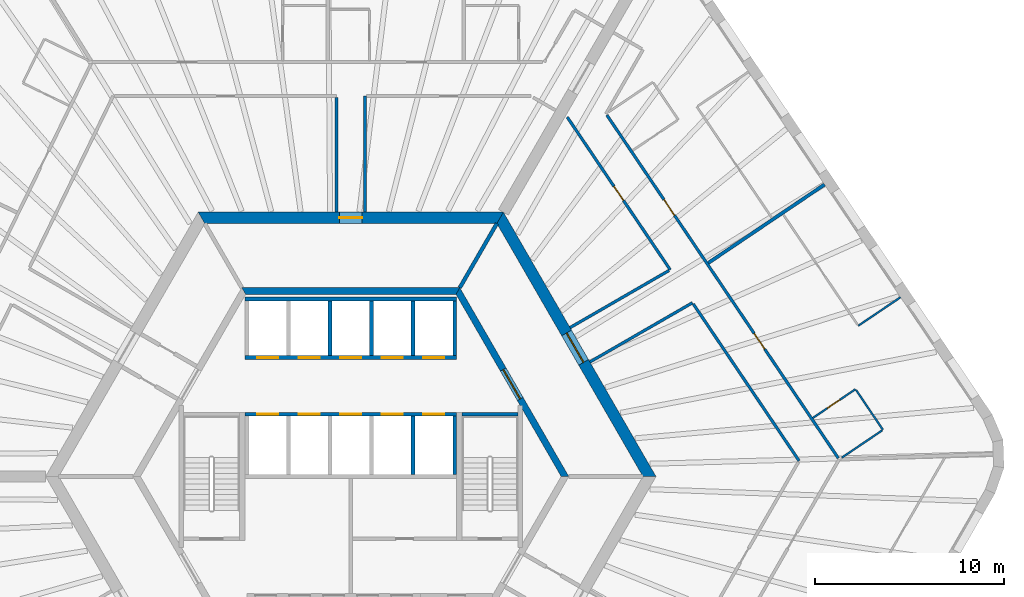
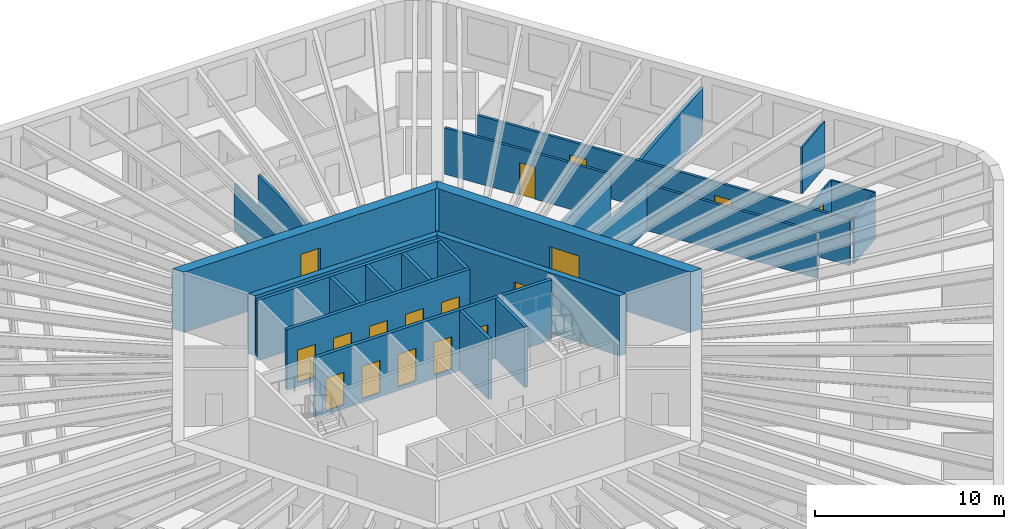
# One storey, part 9 of 12: 27 walls, 17 doors, 17 openings.
"""IFC4 building model written with IfcOpenShell, lengths in metres."""

from ifc_helpers import new_model, si_unit, direction, frame, frame_2d, origin, place, context, subcontext, project, spatial, polyline, rectangle, outline, extrude, material, layer, layer_set, type_object, element, fill, save


model = new_model("IFC4")

# Units and contexts
model_context = context("Model", 3, precision=1e-05, world=origin(), true_north=direction((0.0, 1.0)))
body_context = subcontext(model_context, "Body", "Model", "MODEL_VIEW")
ifc_project = project(units=[si_unit("LENGTHUNIT", "METRE"), si_unit("AREAUNIT", "SQUARE_METRE"), si_unit("VOLUMEUNIT", "CUBIC_METRE"), si_unit("PLANEANGLEUNIT", "RADIAN"), si_unit("MASSUNIT", "GRAM", prefix="KILO")], contexts=[model_context])

# Site, building, storey
site_placement = place(None, origin())
site = spatial("IfcSite", under=ifc_project, at=site_placement, CompositionType="ELEMENT")
building_placement = place(site_placement, origin())
building = spatial("IfcBuilding", under=site, at=building_placement, Name="Tarnside Tower", CompositionType="ELEMENT")
storey_placement = place(building_placement, frame((0.0, 0.0, 119.39990234375)))
storey = spatial("IfcBuildingStorey", under=building, at=storey_placement, Name="L27", CompositionType="ELEMENT", Elevation=119.39990234375)

# Wall, opening, door
ifc_material_1 = material(Name="Gypsum board partition on steel studs", Category="steel")
ifc_layer_1 = layer(ifc_material_1, 0.10009765625)
ifc_layer_set_1 = layer_set([ifc_layer_1], Name="Bathroom wall 100")
wall_type_1 = type_object("IfcWallType", Name="Bathroom wall 100", PredefinedType="PARTITIONING", material=ifc_layer_set_1)
wall_1_placement = place(storey_placement, frame((24.4755859375, 3.100830078125, 0.0), z_axis=(0.0, 0.0, 1.0), x_axis=(0.829047014003, 0.559178905694, 0.0)))
wall_1 = element("IfcWall", 1, at=wall_1_placement, inside=storey, type_object=wall_type_1, Name="Bathroom wall 08137", PredefinedType="PARTITIONING", context=body_context, shape_type="SweptSolid", body=[
    extrude(rectangle(XDim=2.724853515625, YDim=0.10009765625, at=frame_2d((1.3623046875, 0.0))), origin(), (0.0, 0.0, 1.0), 2.98779296875),
])
opening_1_placement = place(wall_1_placement, frame((0.925048828125, 0.0, 0.0)))
opening_1 = element("IfcOpeningElement", 2, at=opening_1_placement, cuts=wall_1, Name="Opening D-B1", PredefinedType="OPENING", context=body_context, shape_type="SweptSolid", body=[
    extrude(rectangle(XDim=0.800048828125, YDim=2.10009765625, at=frame_2d((0.39990234375, 1.050048828125))), frame((0.0, 0.06005859375, 0.0), z_axis=(0.0, -1.0, 0.0), x_axis=(1.0, 0.0, 0.0)), (0.0, 0.0, 1.0), 0.1201171875),
])
ifc_material_2 = material(Name="Timber door leaf", Category="wood")
door_type_1 = type_object("IfcDoorType", Name="Bathroom door 800", OperationType="NOTDEFINED", PredefinedType="DOOR", material=ifc_material_2)
door_1_placement = place(opening_1_placement, origin())
door_1 = element("IfcDoor", 3, at=door_1_placement, inside=storey, type_object=door_type_1, Name="Bathroom door 08035", OperationType="SINGLE_SWING_RIGHT", OverallHeight=2.10009765625, OverallWidth=0.800048828125, PredefinedType="DOOR", context=body_context, shape_type="SweptSolid", body=[
    extrude(rectangle(XDim=0.800048828125, YDim=2.10009765625, at=frame_2d((0.39990234375, 1.050048828125))), frame((0.0, 0.02490234375, 0.0), z_axis=(0.0, -1.0, 0.0), x_axis=(1.0, 0.0, 0.0)), (0.0, 0.0, 1.0), 0.050048828125),
])
fill(opening_1, door_1)

# Walls
wall_2_placement = place(storey_placement, frame((26.762451171875, 4.5830078125, 0.0), z_axis=(0.0, 0.0, 1.0), x_axis=(0.559221247909, -0.829018453285, 0.0)))
element("IfcWall", 4, at=wall_2_placement, inside=storey, type_object=wall_type_1, Name="Bathroom wall 08138", PredefinedType="PARTITIONING", context=body_context, shape_type="SweptSolid", body=[
    extrude(rectangle(XDim=2.550048828125, YDim=0.10009765625, at=frame_2d((1.27490234375, 0.0))), origin(), (0.0, 0.0, 1.0), 2.98779296875),
])
wall_3_placement = place(storey_placement, frame((28.14697265625, 2.441162109375, 0.0), z_axis=(0.0, 0.0, 1.0), x_axis=(-0.829023136679, -0.559214304941, 0.0)))
element("IfcWall", 5, at=wall_3_placement, inside=storey, type_object=wall_type_1, Name="Bathroom wall 08139", PredefinedType="PARTITIONING", context=body_context, shape_type="SweptSolid", body=[
    extrude(rectangle(XDim=2.578857421875, YDim=0.10009765625, at=frame_2d((1.28955078125, 0.0))), origin(), (0.0, 0.0, 1.0), 2.98779296875),
])

# Wall, opening, door
ifc_material_3 = material(Name="Concrete C50/60", Category="concrete")
ifc_layer_2 = layer(ifc_material_3, 0.35009765625)
ifc_layer_set_2 = layer_set([ifc_layer_2], Name="Core block wall 350 C50/60")
wall_type_2 = type_object("IfcWallType", Name="Core block wall 350 C50/60", PredefinedType="SHEAR", material=ifc_layer_set_2)
wall_4_placement = place(storey_placement, frame((11.344970703125, 0.0, -0.14990234375), z_axis=(0.0, 0.0, 1.0), x_axis=(-0.499995046907, 0.866028263435, 0.0)))
wall_4 = element("IfcWall", 6, at=wall_4_placement, inside=storey, type_object=wall_type_2, Name="L27 core block wall face 6", PredefinedType="SHEAR", context=body_context, shape_type="SweptSolid", body=[
    extrude(outline(polyline([(-0.10107421875, -0.175048828125), (11.44580078125, -0.175048828125), (11.24365234375, 0.175048828125), (0.10107421875, 0.175048828125), (-0.10107421875, -0.175048828125)])), origin(), (0.0, 0.0, 1.0), 3.89990234375),
])
opening_2_placement = place(wall_4_placement, frame((4.74365234375, 0.0, 0.14990234375)))
opening_2 = element("IfcOpeningElement", 7, at=opening_2_placement, cuts=wall_4, Name="Opening CD-LOB", PredefinedType="OPENING", context=body_context, shape_type="SweptSolid", body=[
    extrude(rectangle(XDim=1.800048828125, YDim=2.39990234375, at=frame_2d((0.89990234375, 1.199951171875))), frame((0.0, 0.18505859375, 0.0), z_axis=(0.0, -1.0, 0.0), x_axis=(1.0, 0.0, 0.0)), (0.0, 0.0, 1.0), 0.3701171875),
])
ifc_material_4 = material(Name="Steel fire door", Category="steel")
door_type_2 = type_object("IfcDoorType", Name="Lobby double door FD30S 1800x2400", OperationType="NOTDEFINED", PredefinedType="DOOR", material=ifc_material_4)
door_2_placement = place(opening_2_placement, origin())
door_2 = element("IfcDoor", 8, at=door_2_placement, inside=storey, type_object=door_type_2, Name="L27 lobby block door P2", OperationType="DOUBLE_DOOR_SINGLE_SWING", OverallHeight=2.39990234375, OverallWidth=1.800048828125, PredefinedType="DOOR", context=body_context, shape_type="SweptSolid", body=[
    extrude(rectangle(XDim=1.800048828125, YDim=2.39990234375, at=frame_2d((0.89990234375, 1.199951171875))), frame((0.0, 0.02490234375, 0.0), z_axis=(0.0, -1.0, 0.0), x_axis=(1.0, 0.0, 0.0)), (0.0, 0.0, 1.0), 0.050048828125),
])
fill(opening_2, door_2)

# Wall
wall_5_placement = place(storey_placement, frame((5.672607421875, 9.824951171875, -0.14990234375), z_axis=(0.0, 0.0, 1.0), x_axis=(-1.0, 0.0, 0.0)))
element("IfcWall", 9, at=wall_5_placement, inside=storey, type_object=wall_type_2, Name="L27 core block wall face 1", PredefinedType="SHEAR", context=body_context, shape_type="SweptSolid", body=[
    extrude(outline(polyline([(-0.10107421875, -0.175048828125), (11.4462890625, -0.175048828125), (11.244140625, 0.175048828125), (0.10107421875, 0.175048828125), (-0.10107421875, -0.175048828125)])), origin(), (0.0, 0.0, 1.0), 3.89990234375),
])

# Wall, opening, door
ifc_material_5 = material(Name="Concrete C80/95", Category="concrete")
ifc_layer_3 = layer(ifc_material_5, 0.60009765625)
ifc_layer_set_3 = layer_set([ifc_layer_3], Name="Core wall Z1 600 C80/95")
wall_type_3 = type_object("IfcWallType", Name="Core wall Z1 600 C80/95", PredefinedType="SHEAR", material=ifc_layer_set_3)
wall_6_placement = place(storey_placement, frame((15.8193359375, 0.0, -0.14990234375), z_axis=(0.0, 0.0, 1.0), x_axis=(-0.499999880136, 0.866025472988, 0.0)))
wall_6 = element("IfcWall", 10, at=wall_6_placement, inside=storey, type_object=wall_type_3, Name="L27 core wall face 6", PredefinedType="SHEAR", context=body_context, shape_type="SweptSolid", body=[
    extrude(outline(polyline([(-0.17333984375, -0.300048828125), (15.99267578125, -0.300048828125), (15.64599609375, 0.300048828125), (0.17333984375, 0.300048828125), (-0.17333984375, -0.300048828125)])), origin(), (0.0, 0.0, 1.0), 3.89990234375),
])
opening_3_placement = place(wall_6_placement, frame((6.980712890625, 0.0, 0.14990234375)))
opening_3 = element("IfcOpeningElement", 11, at=opening_3_placement, cuts=wall_6, Name="Opening CD-LOB", PredefinedType="OPENING", context=body_context, shape_type="SweptSolid", body=[
    extrude(rectangle(XDim=1.800048828125, YDim=2.39990234375, at=frame_2d((0.89990234375, 1.199951171875))), frame((0.0, 0.31005859375, 0.0), z_axis=(0.0, -1.0, 0.0), x_axis=(1.0, 0.0, 0.0)), (0.0, 0.0, 1.0), 0.6201171875),
])
door_3_placement = place(opening_3_placement, origin())
door_3 = element("IfcDoor", 12, at=door_3_placement, inside=storey, type_object=door_type_2, Name="L27 core door P2", OperationType="DOUBLE_DOOR_SINGLE_SWING", OverallHeight=2.39990234375, OverallWidth=1.800048828125, PredefinedType="DOOR", context=body_context, shape_type="SweptSolid", body=[
    extrude(rectangle(XDim=1.800048828125, YDim=2.39990234375, at=frame_2d((0.89990234375, 1.199951171875))), frame((0.0, 0.02490234375, 0.0), z_axis=(0.0, -1.0, 0.0), x_axis=(1.0, 0.0, 0.0)), (0.0, 0.0, 1.0), 0.050048828125),
])
fill(opening_3, door_3)

wall_7_placement = place(storey_placement, frame((7.90966796875, 13.699951171875, -0.14990234375), z_axis=(0.0, 0.0, 1.0), x_axis=(-1.0, 0.0, 0.0)))
wall_7 = element("IfcWall", 13, at=wall_7_placement, inside=storey, type_object=wall_type_3, Name="L27 core wall face 1", PredefinedType="SHEAR", context=body_context, shape_type="SweptSolid", body=[
    extrude(outline(polyline([(-0.17333984375, -0.300048828125), (15.99267578125, -0.300048828125), (15.64599609375, 0.300048828125), (0.17333984375, 0.300048828125), (-0.17333984375, -0.300048828125)])), origin(), (0.0, 0.0, 1.0), 3.89990234375),
])
opening_4_placement = place(wall_7_placement, frame((7.309814453125, 0.0, 0.14990234375)))
opening_4 = element("IfcOpeningElement", 14, at=opening_4_placement, cuts=wall_7, Name="Opening CD-RSR", PredefinedType="OPENING", context=body_context, shape_type="SweptSolid", body=[
    extrude(rectangle(XDim=1.199951171875, YDim=2.39990234375, at=frame_2d((0.60009765625, 1.199951171875))), frame((0.0, 0.31005859375, 0.0), z_axis=(0.0, -1.0, 0.0), x_axis=(1.0, 0.0, 0.0)), (0.0, 0.0, 1.0), 0.6201171875),
])
door_type_3 = type_object("IfcDoorType", Name="Riser door FD60 1200x2400", OperationType="NOTDEFINED", PredefinedType="DOOR", material=ifc_material_4)
door_4_placement = place(opening_4_placement, origin())
door_4 = element("IfcDoor", 15, at=door_4_placement, inside=storey, type_object=door_type_3, Name="L27 core door S5", OperationType="SINGLE_SWING_LEFT", OverallHeight=2.39990234375, OverallWidth=1.199951171875, PredefinedType="DOOR", context=body_context, shape_type="SweptSolid", body=[
    extrude(rectangle(XDim=1.199951171875, YDim=2.39990234375, at=frame_2d((0.60009765625, 1.199951171875))), frame((0.0, 0.02490234375, 0.0), z_axis=(0.0, -1.0, 0.0), x_axis=(1.0, 0.0, 0.0)), (0.0, 0.0, 1.0), 0.050048828125),
])
fill(opening_4, door_4)

# Walls
ifc_layer_4 = layer(ifc_material_1, 0.14990234375)
ifc_layer_set_4 = layer_set([ifc_layer_4], Name="Corridor wall 150 EI 60")
wall_type_4 = type_object("IfcWallType", Name="Corridor wall 150 EI 60", PredefinedType="PARTITIONING", material=ifc_layer_set_4)
wall_8_placement = place(storey_placement, frame((-0.75, 20.074951171875, 0.0), z_axis=(0.0, 0.0, 1.0), x_axis=(0.0, -1.0, 0.0)))
element("IfcWall", 16, at=wall_8_placement, inside=storey, type_object=wall_type_4, Name="Corridor wall 08019", PredefinedType="PARTITIONING", context=body_context, shape_type="SweptSolid", body=[
    extrude(rectangle(XDim=6.074951171875, YDim=0.14990234375, at=frame_2d((3.03759765625, 0.0))), origin(), (0.0, 0.0, 1.0), 2.98779296875),
])
wall_9_placement = place(storey_placement, frame((0.75, 14.0, 0.0), z_axis=(0.0, 0.0, 1.0), x_axis=(0.0, 1.0, 0.0)))
element("IfcWall", 17, at=wall_9_placement, inside=storey, type_object=wall_type_4, Name="Corridor wall 08020", PredefinedType="PARTITIONING", context=body_context, shape_type="SweptSolid", body=[
    extrude(rectangle(XDim=6.14990234375, YDim=0.14990234375, at=frame_2d((3.074951171875, 0.0))), origin(), (0.0, 0.0, 1.0), 2.98779296875),
])

# Wall, openings, doors
wall_10_placement = place(storey_placement, frame((25.820556640625, 0.972412109375, 0.0), z_axis=(0.0, 0.0, 1.0), x_axis=(-0.559192946342, 0.829037543638, 0.0)))
wall_10 = element("IfcWall", 18, at=wall_10_placement, inside=storey, type_object=wall_type_4, Name="Corridor wall 08056", PredefinedType="PARTITIONING", context=body_context, shape_type="SweptSolid", body=[
    extrude(rectangle(XDim=21.91845703125, YDim=0.14990234375, at=frame_2d((10.959228515625, 0.0))), origin(), (0.0, 0.0, 1.0), 2.98779296875),
])
opening_5_placement = place(wall_10_placement, frame((6.968994140625, 0.0, 0.0)))
opening_5 = element("IfcOpeningElement", 19, at=opening_5_placement, cuts=wall_10, Name="Opening D-E1", PredefinedType="OPENING", context=body_context, shape_type="SweptSolid", body=[
    extrude(rectangle(XDim=1.0, YDim=2.10009765625, at=frame_2d((0.5, 1.050048828125))), frame((0.0, 0.0849609375, 0.0), z_axis=(0.0, -1.0, 0.0), x_axis=(1.0, 0.0, 0.0)), (0.0, 0.0, 1.0), 0.169921875),
])
opening_6_placement = place(wall_10_placement, frame((15.511474609375, 0.0, 0.0)))
opening_6 = element("IfcOpeningElement", 20, at=opening_6_placement, cuts=wall_10, Name="Opening D-E1", PredefinedType="OPENING", context=body_context, shape_type="SweptSolid", body=[
    extrude(rectangle(XDim=1.0, YDim=2.10009765625, at=frame_2d((0.5, 1.050048828125))), frame((0.0, 0.0849609375, 0.0), z_axis=(0.0, -1.0, 0.0), x_axis=(1.0, 0.0, 0.0)), (0.0, 0.0, 1.0), 0.169921875),
])
door_type_4 = type_object("IfcDoorType", Name="Unit entrance door 1000 FD30S", OperationType="NOTDEFINED", PredefinedType="DOOR", material=ifc_material_2)
door_5_placement = place(opening_5_placement, origin())
door_5 = element("IfcDoor", 21, at=door_5_placement, inside=storey, type_object=door_type_4, Name="Unit door 08034", OperationType="SINGLE_SWING_RIGHT", OverallHeight=2.10009765625, OverallWidth=1.0, PredefinedType="DOOR", context=body_context, shape_type="SweptSolid", body=[
    extrude(rectangle(XDim=1.0, YDim=2.10009765625, at=frame_2d((0.5, 1.050048828125))), frame((0.0, 0.02490234375, 0.0), z_axis=(0.0, -1.0, 0.0), x_axis=(1.0, 0.0, 0.0)), (0.0, 0.0, 1.0), 0.050048828125),
])
fill(opening_5, door_5)
door_6_placement = place(opening_6_placement, origin())
door_6 = element("IfcDoor", 22, at=door_6_placement, inside=storey, type_object=door_type_4, Name="Unit door 08037", OperationType="SINGLE_SWING_LEFT", OverallHeight=2.10009765625, OverallWidth=1.0, PredefinedType="DOOR", context=body_context, shape_type="SweptSolid", body=[
    extrude(rectangle(XDim=1.0, YDim=2.10009765625, at=frame_2d((0.5, 1.050048828125))), frame((0.0, 0.02490234375, 0.0), z_axis=(0.0, -1.0, 0.0), x_axis=(1.0, 0.0, 0.0)), (0.0, 0.0, 1.0), 0.050048828125),
])
fill(opening_6, door_6)

# Walls
wall_11_placement = place(storey_placement, frame((12.663818359375, 6.065673828125, 0.0), z_axis=(0.0, 0.0, 1.0), x_axis=(0.866036561919, 0.499980673046, 0.0)))
element("IfcWall", 23, at=wall_11_placement, inside=storey, type_object=wall_type_4, Name="Corridor wall 08062", PredefinedType="PARTITIONING", context=body_context, shape_type="SweptSolid", body=[
    extrude(rectangle(XDim=6.274658203125, YDim=0.14990234375, at=frame_2d((3.13720703125, 0.0))), origin(), (0.0, 0.0, 1.0), 2.98779296875),
])
wall_12_placement = place(storey_placement, frame((18.139892578125, 9.140625, 0.0), z_axis=(0.0, 0.0, 1.0), x_axis=(0.55918799196, -0.829040885389, 0.0)))
element("IfcWall", 24, at=wall_12_placement, inside=storey, type_object=wall_type_4, Name="Corridor wall 08063", PredefinedType="PARTITIONING", context=body_context, shape_type="SweptSolid", body=[
    extrude(rectangle(XDim=10.025146484375, YDim=0.14990234375, at=frame_2d((5.0126953125, 0.0))), origin(), (0.0, 0.0, 1.0), 2.98779296875),
])

# Wall, opening, door
wall_13_placement = place(storey_placement, frame((11.464599609375, 19.037109375, 0.0), z_axis=(0.0, 0.0, 1.0), x_axis=(0.559196064773, -0.829035440221, 0.0)))
wall_13 = element("IfcWall", 25, at=wall_13_placement, inside=storey, type_object=wall_type_4, Name="Corridor wall 08069", PredefinedType="PARTITIONING", context=body_context, shape_type="SweptSolid", body=[
    extrude(rectangle(XDim=9.757080078125, YDim=0.14990234375, at=frame_2d((4.87841796875, 0.0))), origin(), (0.0, 0.0, 1.0), 2.98779296875),
])
opening_7_placement = place(wall_13_placement, frame((4.428466796875, 0.0, 0.0)))
opening_7 = element("IfcOpeningElement", 26, at=opening_7_placement, cuts=wall_13, Name="Opening D-S1", PredefinedType="OPENING", context=body_context, shape_type="SweptSolid", body=[
    extrude(rectangle(XDim=0.89990234375, YDim=2.10009765625, at=frame_2d((0.449951171875, 1.050048828125))), frame((0.0, 0.0849609375, 0.0), z_axis=(0.0, -1.0, 0.0), x_axis=(1.0, 0.0, 0.0)), (0.0, 0.0, 1.0), 0.169921875),
])
door_type_5 = type_object("IfcDoorType", Name="Service room door 900 FD30S", OperationType="NOTDEFINED", PredefinedType="DOOR", material=ifc_material_2)
door_7_placement = place(opening_7_placement, origin())
door_7 = element("IfcDoor", 27, at=door_7_placement, inside=storey, type_object=door_type_5, Name="Service door 08048", OperationType="SINGLE_SWING_RIGHT", OverallHeight=2.10009765625, OverallWidth=0.89990234375, PredefinedType="DOOR", context=body_context, shape_type="SweptSolid", body=[
    extrude(rectangle(XDim=0.89990234375, YDim=2.10009765625, at=frame_2d((0.449951171875, 1.050048828125))), frame((0.0, 0.02490234375, 0.0), z_axis=(0.0, -1.0, 0.0), x_axis=(1.0, 0.0, 0.0)), (0.0, 0.0, 1.0), 0.050048828125),
])
fill(opening_7, door_7)

# Walls
wall_14_placement = place(storey_placement, frame((16.85546875, 10.91064453125, 0.0), z_axis=(0.0, 0.0, 1.0), x_axis=(-0.866020343444, -0.500008764664, 0.0)))
element("IfcWall", 28, at=wall_14_placement, inside=storey, type_object=wall_type_4, Name="Corridor wall 08070", PredefinedType="PARTITIONING", context=body_context, shape_type="SweptSolid", body=[
    extrude(rectangle(XDim=6.052734375, YDim=0.14990234375, at=frame_2d((3.0263671875, 0.0))), origin(), (0.0, 0.0, 1.0), 2.98779296875),
])
ifc_layer_5 = layer(ifc_material_1, 0.179931640625)
ifc_layer_set_5 = layer_set([ifc_layer_5], Name="Demising wall 180 EI 60")
wall_type_5 = type_object("IfcWallType", Name="Demising wall 180 EI 60", PredefinedType="PARTITIONING", material=ifc_layer_set_5)
wall_15_placement = place(storey_placement, frame((25.09228515625, 15.464111328125, 0.0), z_axis=(0.0, 0.0, 1.0), x_axis=(-0.829043414408, -0.559184242471, 0.0)))
element("IfcWall", 29, at=wall_15_placement, inside=storey, type_object=wall_type_5, Name="Demising wall 08142", PredefinedType="PARTITIONING", context=body_context, shape_type="SweptSolid", body=[
    extrude(rectangle(XDim=7.4248046875, YDim=0.179931640625, at=frame_2d((3.71240234375, 0.0))), origin(), (0.0, 0.0, 1.0), 2.98779296875),
])

# Wall, openings, doors
ifc_material_6 = material(Name="Concrete C40/50", Category="concrete")
ifc_layer_6 = layer(ifc_material_6, 0.199951171875)
ifc_layer_set_6 = layer_set([ifc_layer_6], Name="Lift shaft wall 200 C40/50")
wall_type_6 = type_object("IfcWallType", Name="Lift shaft wall 200 C40/50", PredefinedType="SHEAR", material=ifc_layer_set_6)
wall_16_placement = place(storey_placement, frame((-5.60009765625, 6.300048828125, -0.25), z_axis=(0.0, 0.0, 1.0), x_axis=(1.0, 0.0, 0.0)))
wall_16 = element("IfcWall", 30, at=wall_16_placement, inside=storey, type_object=wall_type_6, Name="L27 lift shaft front wall R1", PredefinedType="SHEAR", context=body_context, shape_type="SweptSolid", body=[
    extrude(rectangle(XDim=11.2001953125, YDim=0.199951171875, at=frame_2d((5.60009765625, 0.0))), origin(), (0.0, 0.0, 1.0), 3.900146484375),
])
opening_8_placement = place(wall_16_placement, frame((0.64990234375, 0.0, 0.25)))
opening_8 = element("IfcOpeningElement", 31, at=opening_8_placement, cuts=wall_16, Name="Opening LD", PredefinedType="OPENING", context=body_context, shape_type="SweptSolid", body=[
    extrude(rectangle(XDim=1.10009765625, YDim=2.10009765625, at=frame_2d((0.550048828125, 1.050048828125))), frame((0.0, 0.10986328125, 0.0), z_axis=(0.0, -1.0, 0.0), x_axis=(1.0, 0.0, 0.0)), (0.0, 0.0, 1.0), 0.219970703125),
])
opening_9_placement = place(wall_16_placement, frame((2.85009765625, 0.0, 0.25)))
opening_9 = element("IfcOpeningElement", 32, at=opening_9_placement, cuts=wall_16, Name="Opening LD", PredefinedType="OPENING", context=body_context, shape_type="SweptSolid", body=[
    extrude(rectangle(XDim=1.10009765625, YDim=2.10009765625, at=frame_2d((0.550048828125, 1.050048828125))), frame((0.0, 0.10986328125, 0.0), z_axis=(0.0, -1.0, 0.0), x_axis=(1.0, 0.0, 0.0)), (0.0, 0.0, 1.0), 0.219970703125),
])
opening_10_placement = place(wall_16_placement, frame((5.050048828125, 0.0, 0.25)))
opening_10 = element("IfcOpeningElement", 33, at=opening_10_placement, cuts=wall_16, Name="Opening LD", PredefinedType="OPENING", context=body_context, shape_type="SweptSolid", body=[
    extrude(rectangle(XDim=1.10009765625, YDim=2.10009765625, at=frame_2d((0.550048828125, 1.050048828125))), frame((0.0, 0.10986328125, 0.0), z_axis=(0.0, -1.0, 0.0), x_axis=(1.0, 0.0, 0.0)), (0.0, 0.0, 1.0), 0.219970703125),
])
opening_11_placement = place(wall_16_placement, frame((7.25, 0.0, 0.25)))
opening_11 = element("IfcOpeningElement", 34, at=opening_11_placement, cuts=wall_16, Name="Opening LD", PredefinedType="OPENING", context=body_context, shape_type="SweptSolid", body=[
    extrude(rectangle(XDim=1.10009765625, YDim=2.10009765625, at=frame_2d((0.550048828125, 1.050048828125))), frame((0.0, 0.10986328125, 0.0), z_axis=(0.0, -1.0, 0.0), x_axis=(1.0, 0.0, 0.0)), (0.0, 0.0, 1.0), 0.219970703125),
])
opening_12_placement = place(wall_16_placement, frame((9.449951171875, 0.0, 0.25)))
opening_12 = element("IfcOpeningElement", 35, at=opening_12_placement, cuts=wall_16, Name="Opening LD", PredefinedType="OPENING", context=body_context, shape_type="SweptSolid", body=[
    extrude(rectangle(XDim=1.10009765625, YDim=2.10009765625, at=frame_2d((0.550048828125, 1.050048828125))), frame((0.0, 0.10986328125, 0.0), z_axis=(0.0, -1.0, 0.0), x_axis=(1.0, 0.0, 0.0)), (0.0, 0.0, 1.0), 0.219970703125),
])
ifc_material_7 = material(Name="Stainless steel", Category="steel")
door_type_6 = type_object("IfcDoorType", Name="Lift landing door 1100x2100", OperationType="NOTDEFINED", PredefinedType="DOOR", material=ifc_material_7)
door_8_placement = place(opening_8_placement, origin())
door_8 = element("IfcDoor", 36, at=door_8_placement, inside=storey, type_object=door_type_6, Name="Low-rise lift 1 landing door L27", OperationType="SLIDING_TO_LEFT", OverallHeight=2.10009765625, OverallWidth=1.10009765625, PredefinedType="DOOR", context=body_context, shape_type="SweptSolid", body=[
    extrude(rectangle(XDim=1.10009765625, YDim=2.10009765625, at=frame_2d((0.550048828125, 1.050048828125))), frame((0.0, 0.02490234375, 0.0), z_axis=(0.0, -1.0, 0.0), x_axis=(1.0, 0.0, 0.0)), (0.0, 0.0, 1.0), 0.050048828125),
])
fill(opening_8, door_8)
door_9_placement = place(opening_9_placement, origin())
door_9 = element("IfcDoor", 37, at=door_9_placement, inside=storey, type_object=door_type_6, Name="Low-rise lift 2 landing door L27", OperationType="SLIDING_TO_LEFT", OverallHeight=2.10009765625, OverallWidth=1.10009765625, PredefinedType="DOOR", context=body_context, shape_type="SweptSolid", body=[
    extrude(rectangle(XDim=1.10009765625, YDim=2.10009765625, at=frame_2d((0.550048828125, 1.050048828125))), frame((0.0, 0.02490234375, 0.0), z_axis=(0.0, -1.0, 0.0), x_axis=(1.0, 0.0, 0.0)), (0.0, 0.0, 1.0), 0.050048828125),
])
fill(opening_9, door_9)
door_10_placement = place(opening_10_placement, origin())
door_10 = element("IfcDoor", 38, at=door_10_placement, inside=storey, type_object=door_type_6, Name="Low-rise lift 3 landing door L27", OperationType="SLIDING_TO_LEFT", OverallHeight=2.10009765625, OverallWidth=1.10009765625, PredefinedType="DOOR", context=body_context, shape_type="SweptSolid", body=[
    extrude(rectangle(XDim=1.10009765625, YDim=2.10009765625, at=frame_2d((0.550048828125, 1.050048828125))), frame((0.0, 0.02490234375, 0.0), z_axis=(0.0, -1.0, 0.0), x_axis=(1.0, 0.0, 0.0)), (0.0, 0.0, 1.0), 0.050048828125),
])
fill(opening_10, door_10)
door_11_placement = place(opening_11_placement, origin())
door_11 = element("IfcDoor", 39, at=door_11_placement, inside=storey, type_object=door_type_6, Name="Low sky-lobby shuttle 1 landing door L27", OperationType="SLIDING_TO_LEFT", OverallHeight=2.10009765625, OverallWidth=1.10009765625, PredefinedType="DOOR", context=body_context, shape_type="SweptSolid", body=[
    extrude(rectangle(XDim=1.10009765625, YDim=2.10009765625, at=frame_2d((0.550048828125, 1.050048828125))), frame((0.0, 0.02490234375, 0.0), z_axis=(0.0, -1.0, 0.0), x_axis=(1.0, 0.0, 0.0)), (0.0, 0.0, 1.0), 0.050048828125),
])
fill(opening_11, door_11)
door_12_placement = place(opening_12_placement, origin())
door_12 = element("IfcDoor", 40, at=door_12_placement, inside=storey, type_object=door_type_6, Name="Low sky-lobby shuttle 2 landing door L27", OperationType="SLIDING_TO_LEFT", OverallHeight=2.10009765625, OverallWidth=1.10009765625, PredefinedType="DOOR", context=body_context, shape_type="SweptSolid", body=[
    extrude(rectangle(XDim=1.10009765625, YDim=2.10009765625, at=frame_2d((0.550048828125, 1.050048828125))), frame((0.0, 0.02490234375, 0.0), z_axis=(0.0, -1.0, 0.0), x_axis=(1.0, 0.0, 0.0)), (0.0, 0.0, 1.0), 0.050048828125),
])
fill(opening_12, door_12)

# Walls
wall_17_placement = place(storey_placement, frame((-5.60009765625, 9.39990234375, -0.25), z_axis=(0.0, 0.0, 1.0), x_axis=(1.0, 0.0, 0.0)))
element("IfcWall", 41, at=wall_17_placement, inside=storey, type_object=wall_type_6, Name="L27 lift shaft back wall R1", PredefinedType="SHEAR", context=body_context, shape_type="SweptSolid", body=[
    extrude(rectangle(XDim=11.2001953125, YDim=0.199951171875, at=frame_2d((5.60009765625, 0.0))), origin(), (0.0, 0.0, 1.0), 3.900146484375),
])
for number, where, z_axis, x_axis, name in (
    (42, (-1.10009765625, 6.39990234375, -0.25), (0.0, 0.0, 1.0), (0.0, 1.0, 0.0), "L27 lift shaft partition R13"),
    (43, (1.10009765625, 6.39990234375, -0.25), (0.0, 0.0, 1.0), (0.0, 1.0, 0.0), "L27 lift shaft partition R14"),
    (44, (3.300048828125, 6.39990234375, -0.25), (0.0, 0.0, 1.0), (0.0, 1.0, 0.0), "L27 lift shaft partition R15"),
    (45, (5.5, 6.39990234375, -0.25), (0.0, 0.0, 1.0), (0.0, 1.0, 0.0), "L27 lift shaft partition R16"),
):
    element("IfcWall", number, at=place(storey_placement, frame(where, z_axis=z_axis, x_axis=x_axis)), inside=storey, type_object=wall_type_6, Name=name, PredefinedType="SHEAR", context=body_context, shape_type="SweptSolid", body=[
        extrude(rectangle(XDim=2.900146484375, YDim=0.199951171875, at=frame_2d((1.4501953125, 0.0))), origin(), (0.0, 0.0, 1.0), 3.900146484375),
    ])

# Wall, openings, doors
wall_18_placement = place(storey_placement, frame((-5.60009765625, 3.300048828125, -0.25), z_axis=(0.0, 0.0, 1.0), x_axis=(1.0, 0.0, 0.0)))
wall_18 = element("IfcWall", 46, at=wall_18_placement, inside=storey, type_object=wall_type_6, Name="L27 lift shaft front wall R2", PredefinedType="SHEAR", context=body_context, shape_type="SweptSolid", body=[
    extrude(rectangle(XDim=11.2001953125, YDim=0.199951171875, at=frame_2d((5.60009765625, 0.0))), origin(), (0.0, 0.0, 1.0), 3.900146484375),
])
opening_13_placement = place(wall_18_placement, frame((0.64990234375, 0.0, 0.25)))
opening_13 = element("IfcOpeningElement", 47, at=opening_13_placement, cuts=wall_18, Name="Opening LD", PredefinedType="OPENING", context=body_context, shape_type="SweptSolid", body=[
    extrude(rectangle(XDim=1.10009765625, YDim=2.10009765625, at=frame_2d((0.550048828125, 1.050048828125))), frame((0.0, 0.10986328125, 0.0), z_axis=(0.0, -1.0, 0.0), x_axis=(1.0, 0.0, 0.0)), (0.0, 0.0, 1.0), 0.219970703125),
])
opening_14_placement = place(wall_18_placement, frame((2.85009765625, 0.0, 0.25)))
opening_14 = element("IfcOpeningElement", 48, at=opening_14_placement, cuts=wall_18, Name="Opening LD", PredefinedType="OPENING", context=body_context, shape_type="SweptSolid", body=[
    extrude(rectangle(XDim=1.10009765625, YDim=2.10009765625, at=frame_2d((0.550048828125, 1.050048828125))), frame((0.0, 0.10986328125, 0.0), z_axis=(0.0, -1.0, 0.0), x_axis=(1.0, 0.0, 0.0)), (0.0, 0.0, 1.0), 0.219970703125),
])
opening_15_placement = place(wall_18_placement, frame((5.050048828125, 0.0, 0.25)))
opening_15 = element("IfcOpeningElement", 49, at=opening_15_placement, cuts=wall_18, Name="Opening LD", PredefinedType="OPENING", context=body_context, shape_type="SweptSolid", body=[
    extrude(rectangle(XDim=1.10009765625, YDim=2.10009765625, at=frame_2d((0.550048828125, 1.050048828125))), frame((0.0, 0.10986328125, 0.0), z_axis=(0.0, -1.0, 0.0), x_axis=(1.0, 0.0, 0.0)), (0.0, 0.0, 1.0), 0.219970703125),
])
opening_16_placement = place(wall_18_placement, frame((7.25, 0.0, 0.25)))
opening_16 = element("IfcOpeningElement", 50, at=opening_16_placement, cuts=wall_18, Name="Opening LD", PredefinedType="OPENING", context=body_context, shape_type="SweptSolid", body=[
    extrude(rectangle(XDim=1.10009765625, YDim=2.10009765625, at=frame_2d((0.550048828125, 1.050048828125))), frame((0.0, 0.10986328125, 0.0), z_axis=(0.0, -1.0, 0.0), x_axis=(1.0, 0.0, 0.0)), (0.0, 0.0, 1.0), 0.219970703125),
])
opening_17_placement = place(wall_18_placement, frame((9.449951171875, 0.0, 0.25)))
opening_17 = element("IfcOpeningElement", 51, at=opening_17_placement, cuts=wall_18, Name="Opening LD", PredefinedType="OPENING", context=body_context, shape_type="SweptSolid", body=[
    extrude(rectangle(XDim=1.10009765625, YDim=2.10009765625, at=frame_2d((0.550048828125, 1.050048828125))), frame((0.0, 0.10986328125, 0.0), z_axis=(0.0, -1.0, 0.0), x_axis=(1.0, 0.0, 0.0)), (0.0, 0.0, 1.0), 0.219970703125),
])
door_13_placement = place(opening_13_placement, origin())
door_13 = element("IfcDoor", 52, at=door_13_placement, inside=storey, type_object=door_type_6, Name="Low-rise lift 4 landing door L27", OperationType="SLIDING_TO_LEFT", OverallHeight=2.10009765625, OverallWidth=1.10009765625, PredefinedType="DOOR", context=body_context, shape_type="SweptSolid", body=[
    extrude(rectangle(XDim=1.10009765625, YDim=2.10009765625, at=frame_2d((0.550048828125, 1.050048828125))), frame((0.0, 0.02490234375, 0.0), z_axis=(0.0, -1.0, 0.0), x_axis=(1.0, 0.0, 0.0)), (0.0, 0.0, 1.0), 0.050048828125),
])
fill(opening_13, door_13)
door_14_placement = place(opening_14_placement, origin())
door_14 = element("IfcDoor", 53, at=door_14_placement, inside=storey, type_object=door_type_6, Name="Low-rise lift 5 landing door L27", OperationType="SLIDING_TO_LEFT", OverallHeight=2.10009765625, OverallWidth=1.10009765625, PredefinedType="DOOR", context=body_context, shape_type="SweptSolid", body=[
    extrude(rectangle(XDim=1.10009765625, YDim=2.10009765625, at=frame_2d((0.550048828125, 1.050048828125))), frame((0.0, 0.02490234375, 0.0), z_axis=(0.0, -1.0, 0.0), x_axis=(1.0, 0.0, 0.0)), (0.0, 0.0, 1.0), 0.050048828125),
])
fill(opening_14, door_14)
door_15_placement = place(opening_15_placement, origin())
door_15 = element("IfcDoor", 54, at=door_15_placement, inside=storey, type_object=door_type_6, Name="Low-rise lift 6 landing door L27", OperationType="SLIDING_TO_LEFT", OverallHeight=2.10009765625, OverallWidth=1.10009765625, PredefinedType="DOOR", context=body_context, shape_type="SweptSolid", body=[
    extrude(rectangle(XDim=1.10009765625, YDim=2.10009765625, at=frame_2d((0.550048828125, 1.050048828125))), frame((0.0, 0.02490234375, 0.0), z_axis=(0.0, -1.0, 0.0), x_axis=(1.0, 0.0, 0.0)), (0.0, 0.0, 1.0), 0.050048828125),
])
fill(opening_15, door_15)
door_16_placement = place(opening_16_placement, origin())
door_16 = element("IfcDoor", 55, at=door_16_placement, inside=storey, type_object=door_type_6, Name="High sky-lobby shuttle 1 landing door L27", OperationType="SLIDING_TO_LEFT", OverallHeight=2.10009765625, OverallWidth=1.10009765625, PredefinedType="DOOR", context=body_context, shape_type="SweptSolid", body=[
    extrude(rectangle(XDim=1.10009765625, YDim=2.10009765625, at=frame_2d((0.550048828125, 1.050048828125))), frame((0.0, 0.02490234375, 0.0), z_axis=(0.0, -1.0, 0.0), x_axis=(1.0, 0.0, 0.0)), (0.0, 0.0, 1.0), 0.050048828125),
])
fill(opening_16, door_16)
door_17_placement = place(opening_17_placement, origin())
door_17 = element("IfcDoor", 56, at=door_17_placement, inside=storey, type_object=door_type_6, Name="Express sky-lobby shuttle 2 landing door L27", OperationType="SLIDING_TO_LEFT", OverallHeight=2.10009765625, OverallWidth=1.10009765625, PredefinedType="DOOR", context=body_context, shape_type="SweptSolid", body=[
    extrude(rectangle(XDim=1.10009765625, YDim=2.10009765625, at=frame_2d((0.550048828125, 1.050048828125))), frame((0.0, 0.02490234375, 0.0), z_axis=(0.0, -1.0, 0.0), x_axis=(1.0, 0.0, 0.0)), (0.0, 0.0, 1.0), 0.050048828125),
])
fill(opening_17, door_17)

# Walls
for number, where, z_axis, x_axis, name in (
    (57, (3.300048828125, 0.10009765625, -0.25), (0.0, 0.0, 1.0), (0.0, 1.0, 0.0), "L27 lift shaft partition R25"),
    (58, (5.5, 0.10009765625, -0.25), (0.0, 0.0, 1.0), (0.0, 1.0, 0.0), "L27 lift shaft partition R26"),
):
    element("IfcWall", number, at=place(storey_placement, frame(where, z_axis=z_axis, x_axis=x_axis)), inside=storey, type_object=wall_type_6, Name=name, PredefinedType="SHEAR", context=body_context, shape_type="SweptSolid", body=[
        extrude(rectangle(XDim=3.099853515625, YDim=0.199951171875, at=frame_2d((1.5498046875, 0.0))), origin(), (0.0, 0.0, 1.0), 3.900146484375),
    ])
wall_19_placement = place(storey_placement, frame((5.7734375, 10.0, -0.14990234375), z_axis=(0.0, 0.0, 1.0), x_axis=(0.500038251005, 0.86600331843, 0.0)))
element("IfcWall", 59, at=wall_19_placement, inside=storey, type_object=wall_type_6, Name="L27 core partition AR60", PredefinedType="SHEAR", context=body_context, shape_type="SweptSolid", body=[
    extrude(rectangle(XDim=3.926025390625, YDim=0.199951171875, at=frame_2d((1.962890625, 0.0))), origin(), (0.0, 0.0, 1.0), 3.89990234375),
])
wall_20_placement = place(storey_placement, frame((5.89990234375, 3.300048828125, -0.25), z_axis=(0.0, 0.0, 1.0), x_axis=(1.0, 0.0, 0.0)))
element("IfcWall", 60, at=wall_20_placement, inside=storey, type_object=wall_type_6, Name="L27 stair 1 enclosure cap wall n", PredefinedType="SHEAR", context=body_context, shape_type="SweptSolid", body=[
    extrude(rectangle(XDim=2.9501953125, YDim=0.199951171875, at=frame_2d((1.47509765625, 0.0))), origin(), (0.0, 0.0, 1.0), 3.900146484375),
])
ifc_layer_7 = layer(ifc_material_1, 0.10009765625)
ifc_layer_set_7 = layer_set([ifc_layer_7], Name="Partition 100")
wall_type_7 = type_object("IfcWallType", Name="Partition 100", PredefinedType="PARTITIONING", material=ifc_layer_set_7)
wall_21_placement = place(storey_placement, frame((29.11865234375, 9.4951171875, 0.0), z_axis=(0.0, 0.0, 1.0), x_axis=(-0.829061405999, -0.559157567313, 0.0)))
element("IfcWall", 61, at=wall_21_placement, inside=storey, type_object=wall_type_7, Name="Partition wall 08140", PredefinedType="PARTITIONING", context=body_context, shape_type="SweptSolid", body=[
    extrude(rectangle(XDim=2.699951171875, YDim=0.10009765625, at=frame_2d((1.35009765625, 0.0))), origin(), (0.0, 0.0, 1.0), 2.98779296875),
])

save(model, "model.ifc")
